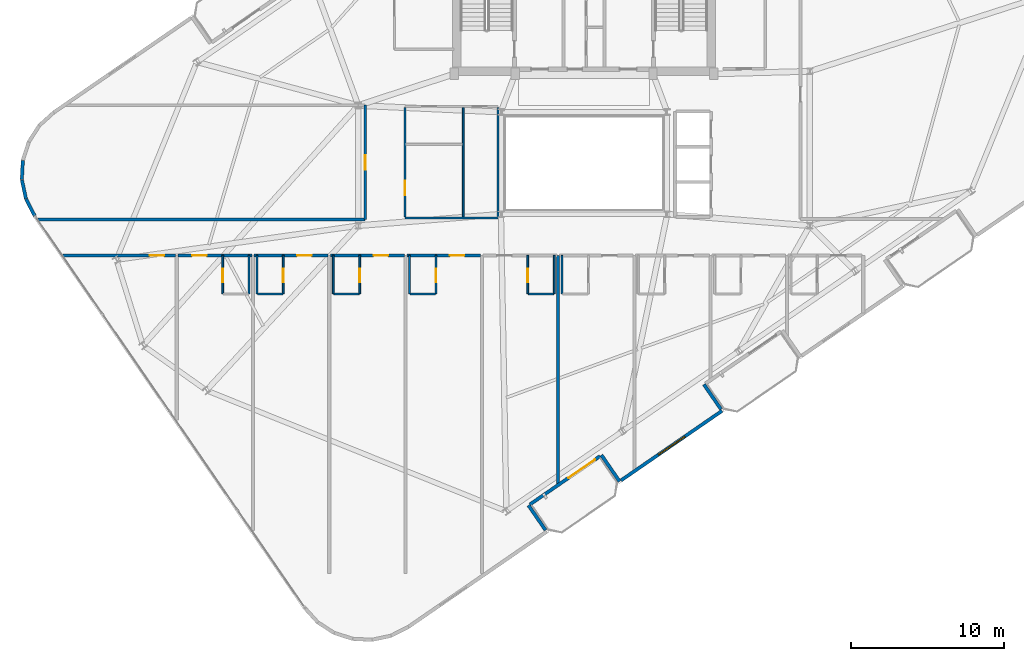
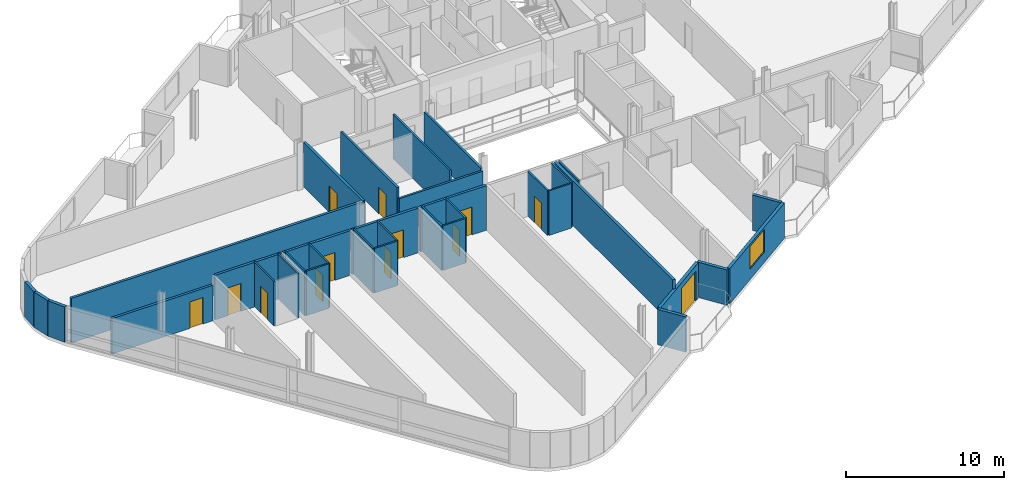
# One storey, part 14 of 22: 35 walls, 13 doors, 1 window, 14 openings.
"""IFC4 building model written with IfcOpenShell, lengths in metres."""

from ifc_helpers import new_model, si_unit, direction, frame, frame_2d, origin, place, context, subcontext, project, spatial, rectangle, extrude, material, layer, layer_set, type_object, element, fill, save


model = new_model("IFC4")

# Units and contexts
model_context = context("Model", 3, precision=1e-05, world=origin(), true_north=direction((0.0, 1.0)))
body_context = subcontext(model_context, "Body", "Model", "MODEL_VIEW")
ifc_project = project(units=[si_unit("LENGTHUNIT", "METRE"), si_unit("AREAUNIT", "SQUARE_METRE"), si_unit("VOLUMEUNIT", "CUBIC_METRE"), si_unit("PLANEANGLEUNIT", "RADIAN"), si_unit("MASSUNIT", "GRAM", prefix="KILO")], contexts=[model_context])

# Site, building, storey
site_placement = place(None, origin())
site = spatial("IfcSite", under=ifc_project, at=site_placement, CompositionType="ELEMENT")
building_placement = place(site_placement, origin())
building = spatial("IfcBuilding", under=site, at=building_placement, Name="Varnelok Gate Tower", CompositionType="ELEMENT")
storey_placement = place(building_placement, frame((0.0, 0.0, 280.39990234375)))
storey = spatial("IfcBuildingStorey", under=building, at=storey_placement, Name="L72", CompositionType="ELEMENT", Elevation=280.39990234375)

# Wall, opening, door
ifc_material_1 = material(Name="Concrete C45/55", Category="concrete")
ifc_layer_1 = layer(ifc_material_1, 0.219970703125)
ifc_layer_set_1 = layer_set([ifc_layer_1], Name="Concrete C45/55")
wall_type_1 = type_object("IfcWallType", Name="EW-BALC-220", PredefinedType="SOLIDWALL", material=ifc_layer_set_1)
wall_1_placement = place(storey_placement, frame((40.243896484375, 3.6884765625, 0.0), z_axis=(0.0, 0.0, 1.0), x_axis=(-0.823541290762, -0.567256328665, 0.0)))
wall_1 = element("IfcWall", 1, at=wall_1_placement, inside=storey, type_object=wall_type_1, Name="L72 South Terrace Envelope Wall 1", PredefinedType="SOLIDWALL", context=body_context, shape_type="SweptSolid", body=[
    extrude(rectangle(XDim=5.567138671875, YDim=0.219970703125, at=frame_2d((2.78369140625, 0.0))), origin(), (0.0, 0.0, 1.0), 2.72998046875),
])
opening_1_placement = place(wall_1_placement, frame((0.39990234375, 0.0, 0.0)))
opening_1 = element("IfcOpeningElement", 2, at=opening_1_placement, cuts=wall_1, Name="Opening BD-2", PredefinedType="OPENING", context=body_context, shape_type="SweptSolid", body=[
    extrude(rectangle(XDim=2.10009765625, YDim=2.300048828125, at=frame_2d((1.050048828125, 1.14990234375))), frame((0.0, 0.119873046875, 0.0), z_axis=(0.0, -1.0, 0.0), x_axis=(1.0, 0.0, 0.0)), (0.0, 0.0, 1.0), 0.239990234375),
])
ifc_material_2 = material(Name="Anodized Aluminum Alloy 6063-T6", Category="aluminium")
door_type_1 = type_object("IfcDoorType", Name="DR-EXT-SLID2100", OperationType="SLIDING_TO_LEFT", PredefinedType="DOOR", material=ifc_material_2)
door_1_placement = place(opening_1_placement, origin())
door_1 = element("IfcDoor", 3, at=door_1_placement, inside=storey, type_object=door_type_1, Name="L72 South Balcony Glazed Door 1", OperationType="SLIDING_TO_LEFT", OverallHeight=2.300048828125, OverallWidth=2.10009765625, PredefinedType="DOOR", context=body_context, shape_type="SweptSolid", body=[
    extrude(rectangle(XDim=2.10009765625, YDim=2.300048828125, at=frame_2d((1.050048828125, 1.14990234375))), frame((0.0, 0.02490234375, 0.0), z_axis=(0.0, -1.0, 0.0), x_axis=(1.0, 0.0, 0.0)), (0.0, 0.0, 1.0), 0.050048828125),
])
fill(opening_1, door_1)

# Walls
wall_2_placement = place(storey_placement, frame((36.675048828125, -1.156005859375, 0.0), z_axis=(0.0, 0.0, 1.0), x_axis=(-0.567215821234, 0.823569190865, 0.0)))
element("IfcWall", 4, at=wall_2_placement, inside=storey, type_object=wall_type_1, Name="L72 Perimeter Facade Closure Wall 8", PredefinedType="SOLIDWALL", context=body_context, shape_type="SweptSolid", body=[
    extrude(rectangle(XDim=1.97509765625, YDim=0.219970703125, at=frame_2d((0.987548828125, 0.0))), origin(), (0.0, 0.0, 1.0), 2.72998046875),
])
wall_3_placement = place(storey_placement, frame((40.3369140625, 3.7646484375, 0.0), z_axis=(0.0, 0.0, 1.0), x_axis=(0.567352541689, -0.823475010816, 0.0)))
element("IfcWall", 5, at=wall_3_placement, inside=storey, type_object=wall_type_1, Name="L72 Perimeter Facade Closure Wall 9", PredefinedType="SOLIDWALL", context=body_context, shape_type="SweptSolid", body=[
    extrude(rectangle(XDim=2.099853515625, YDim=0.219970703125, at=frame_2d((1.0498046875, 0.0))), origin(), (0.0, 0.0, 1.0), 2.72998046875),
])

# Wall, opening, window
wall_4_placement = place(storey_placement, frame((41.631103515625, 2.106201171875, 0.0), z_axis=(0.0, 0.0, 1.0), x_axis=(0.823530942962, 0.56727135128, 0.0)))
wall_4 = element("IfcWall", 6, at=wall_4_placement, inside=storey, type_object=wall_type_1, Name="L72 Perimeter Facade Closure Wall 10", PredefinedType="SOLIDWALL", context=body_context, shape_type="SweptSolid", body=[
    extrude(rectangle(XDim=8.03515625, YDim=0.219970703125, at=frame_2d((4.017578125, 0.0))), origin(), (0.0, 0.0, 1.0), 2.72998046875),
])
opening_2_placement = place(wall_4_placement, frame((2.967529296875, 0.0, 0.800048828125)))
opening_2 = element("IfcOpeningElement", 7, at=opening_2_placement, cuts=wall_4, Name="Opening WN4", PredefinedType="OPENING", context=body_context, shape_type="SweptSolid", body=[
    extrude(rectangle(XDim=2.10009765625, YDim=1.75, at=frame_2d((1.050048828125, 0.875))), frame((0.0, 0.119873046875, 0.0), z_axis=(0.0, -1.0, 0.0), x_axis=(1.0, 0.0, 0.0)), (0.0, 0.0, 1.0), 0.239990234375),
])
ifc_material_3 = material(Name="Low-E Laminated Double Glazing IGU", Category="glass")
window_type = type_object("IfcWindowType", Name="WN-SUI-2100", PartitioningType="SINGLE_PANEL", PredefinedType="WINDOW", material=ifc_material_3)
window_placement = place(opening_2_placement, origin())
window = element("IfcWindow", 8, at=window_placement, inside=storey, type_object=window_type, Name="L72 Perimeter Vision Window 10", OverallHeight=1.75, OverallWidth=2.10009765625, PartitioningType="SINGLE_PANEL", PredefinedType="WINDOW", context=body_context, shape_type="SweptSolid", body=[
    extrude(rectangle(XDim=2.10009765625, YDim=1.75, at=frame_2d((1.050048828125, 0.875))), frame((0.0, 0.030029296875, 0.0), z_axis=(0.0, -1.0, 0.0), x_axis=(1.0, 0.0, 0.0)), (0.0, 0.0, 1.0), 0.06005859375),
])
fill(opening_2, window)

# Walls
wall_5_placement = place(storey_placement, frame((48.17724609375, 6.76708984375, 0.0), z_axis=(0.0, 0.0, 1.0), x_axis=(-0.567273565974, 0.823529417415, 0.0)))
element("IfcWall", 9, at=wall_5_placement, inside=storey, type_object=wall_type_1, Name="L72 Perimeter Facade Closure Wall 11", PredefinedType="SOLIDWALL", context=body_context, shape_type="SweptSolid", body=[
    extrude(rectangle(XDim=1.97509765625, YDim=0.219970703125, at=frame_2d((0.987548828125, 0.0))), origin(), (0.0, 0.0, 1.0), 2.72998046875),
])
wall_6_placement = place(storey_placement, frame((2.409912109375, 23.06591796875, 0.0), z_axis=(0.0, 0.0, 1.0), x_axis=(-0.051234756022, -0.998686637427, 0.0)))
element("IfcWall", 10, at=wall_6_placement, inside=storey, type_object=wall_type_1, Name="L72 Perimeter Facade Closure Wall 42", PredefinedType="SOLIDWALL", context=body_context, shape_type="SweptSolid", body=[
    extrude(rectangle(XDim=1.24853515625, YDim=0.219970703125, at=frame_2d((0.624267578125, 0.0))), origin(), (0.0, 0.0, 1.0), 2.72998046875),
])
for number, where, z_axis, x_axis, name in (
    (11, (2.35107421875, 21.794677734375, 0.0), (0.0, 0.0, 1.0), (0.208994994656, -0.977916710262, 0.0), "L72 Perimeter Facade Closure Wall 43"),
    (12, (2.623291015625, 20.55126953125, 0.0), (0.0, 0.0, 1.0), (0.454938817534, -0.890522696118, 0.0), "L72 Perimeter Facade Closure Wall 44"),
):
    element("IfcWall", number, at=place(storey_placement, frame(where, z_axis=z_axis, x_axis=x_axis)), inside=storey, type_object=wall_type_1, Name=name, PredefinedType="SOLIDWALL", context=body_context, shape_type="SweptSolid", body=[
        extrude(rectangle(XDim=1.248779296875, YDim=0.219970703125, at=frame_2d((0.62451171875, 0.0))), origin(), (0.0, 0.0, 1.0), 2.72998046875),
    ])

# Wall, opening, door
ifc_material_4 = material(Name="Gypsum Plasterboard Acoustic Partition", Category="gypsum")
ifc_layer_2 = layer(ifc_material_4, 0.179931640625)
ifc_layer_set_2 = layer_set([ifc_layer_2], Name="Gypsum Plasterboard Acoustic Partition")
wall_type_2 = type_object("IfcWallType", Name="PW-CORR-180", PredefinedType="PARTITIONING", material=ifc_layer_set_2)
wall_7_placement = place(storey_placement, frame((5.037841796875, 16.85009765625, 0.0), z_axis=(0.0, 0.0, 1.0), x_axis=(1.0, 0.0, 0.0)))
wall_7 = element("IfcWall", 13, at=wall_7_placement, inside=storey, type_object=wall_type_2, Name="Interior Partition", PredefinedType="PARTITIONING", context=body_context, shape_type="SweptSolid", body=[
    extrude(rectangle(XDim=7.382080078125, YDim=0.179931640625, at=frame_2d((3.69091796875, 0.0))), origin(), (0.0, 0.0, 1.0), 2.739013671875),
])
opening_3_placement = place(wall_7_placement, frame((5.68701171875, 0.0, 0.0)))
opening_3 = element("IfcOpeningElement", 14, at=opening_3_placement, cuts=wall_7, Name="Opening D-I2", PredefinedType="OPENING", context=body_context, shape_type="SweptSolid", body=[
    extrude(rectangle(XDim=0.949951171875, YDim=2.050048828125, at=frame_2d((0.47509765625, 1.02490234375))), frame((0.0, 0.099853515625, 0.0), z_axis=(0.0, -1.0, 0.0), x_axis=(1.0, 0.0, 0.0)), (0.0, 0.0, 1.0), 0.199951171875),
])
ifc_material_5 = material(Name="Engineered Hardwood Timber", Category="wood")
door_type_2 = type_object("IfcDoorType", Name="DR-INT-950", OperationType="NOTDEFINED", PredefinedType="DOOR", material=ifc_material_5)
door_2_placement = place(opening_3_placement, origin())
door_2 = element("IfcDoor", 15, at=door_2_placement, inside=storey, type_object=door_type_2, Name="L72 Wellness Spa Lounge Door", OperationType="SINGLE_SWING_LEFT", OverallHeight=2.050048828125, OverallWidth=0.949951171875, PredefinedType="DOOR", context=body_context, shape_type="SweptSolid", body=[
    extrude(rectangle(XDim=0.949951171875, YDim=2.050048828125, at=frame_2d((0.47509765625, 1.02490234375))), frame((0.0, 0.02490234375, 0.0), z_axis=(0.0, -1.0, 0.0), x_axis=(1.0, 0.0, 0.0)), (0.0, 0.0, 1.0), 0.050048828125),
])
fill(opening_3, door_2)

wall_8_placement = place(storey_placement, frame((12.580078125, 16.85009765625, 0.0), z_axis=(0.0, 0.0, 1.0), x_axis=(1.0, 0.0, 0.0)))
wall_8 = element("IfcWall", 16, at=wall_8_placement, inside=storey, type_object=wall_type_2, Name="Interior Partition", PredefinedType="PARTITIONING", context=body_context, shape_type="SweptSolid", body=[
    extrude(rectangle(XDim=4.83984375, YDim=0.179931640625, at=frame_2d((2.419921875, 0.0))), origin(), (0.0, 0.0, 1.0), 3.4501953125),
])
opening_4_placement = place(wall_8_placement, frame((0.92919921875, 0.0, 0.0)))
opening_4 = element("IfcOpeningElement", 17, at=opening_4_placement, cuts=wall_8, Name="Opening D-HT", PredefinedType="OPENING", context=body_context, shape_type="SweptSolid", body=[
    extrude(rectangle(XDim=0.949951171875, YDim=2.14990234375, at=frame_2d((0.47509765625, 1.074951171875))), frame((0.0, 0.099853515625, 0.0), z_axis=(0.0, -1.0, 0.0), x_axis=(1.0, 0.0, 0.0)), (0.0, 0.0, 1.0), 0.199951171875),
])
door_type_3 = type_object("IfcDoorType", Name="DR-HTL-950", OperationType="NOTDEFINED", PredefinedType="DOOR", material=ifc_material_5)
door_3_placement = place(opening_4_placement, origin())
door_3 = element("IfcDoor", 18, at=door_3_placement, inside=storey, type_object=door_type_3, Name="L72 Guest Room 02 Entrance Door", OperationType="SINGLE_SWING_LEFT", OverallHeight=2.14990234375, OverallWidth=0.949951171875, PredefinedType="DOOR", context=body_context, shape_type="SweptSolid", body=[
    extrude(rectangle(XDim=0.949951171875, YDim=2.14990234375, at=frame_2d((0.47509765625, 1.074951171875))), frame((0.0, 0.02490234375, 0.0), z_axis=(0.0, -1.0, 0.0), x_axis=(1.0, 0.0, 0.0)), (0.0, 0.0, 1.0), 0.050048828125),
])
fill(opening_4, door_3)

wall_9_placement = place(storey_placement, frame((17.580078125, 16.85009765625, 0.0), z_axis=(0.0, 0.0, 1.0), x_axis=(1.0, 0.0, 0.0)))
wall_9 = element("IfcWall", 19, at=wall_9_placement, inside=storey, type_object=wall_type_2, Name="Interior Partition", PredefinedType="PARTITIONING", context=body_context, shape_type="SweptSolid", body=[
    extrude(rectangle(XDim=4.83984375, YDim=0.179931640625, at=frame_2d((2.419921875, 0.0))), origin(), (0.0, 0.0, 1.0), 3.4501953125),
])
opening_5_placement = place(wall_9_placement, frame((2.819091796875, 0.0, 0.0)))
opening_5 = element("IfcOpeningElement", 20, at=opening_5_placement, cuts=wall_9, Name="Opening D-HT", PredefinedType="OPENING", context=body_context, shape_type="SweptSolid", body=[
    extrude(rectangle(XDim=0.949951171875, YDim=2.14990234375, at=frame_2d((0.47509765625, 1.074951171875))), frame((0.0, 0.099853515625, 0.0), z_axis=(0.0, -1.0, 0.0), x_axis=(1.0, 0.0, 0.0)), (0.0, 0.0, 1.0), 0.199951171875),
])
door_4_placement = place(opening_5_placement, origin())
door_4 = element("IfcDoor", 21, at=door_4_placement, inside=storey, type_object=door_type_3, Name="L72 Guest Room 03 Entrance Door", OperationType="SINGLE_SWING_RIGHT", OverallHeight=2.14990234375, OverallWidth=0.949951171875, PredefinedType="DOOR", context=body_context, shape_type="SweptSolid", body=[
    extrude(rectangle(XDim=0.949951171875, YDim=2.14990234375, at=frame_2d((0.47509765625, 1.074951171875))), frame((0.0, 0.02490234375, 0.0), z_axis=(0.0, -1.0, 0.0), x_axis=(1.0, 0.0, 0.0)), (0.0, 0.0, 1.0), 0.050048828125),
])
fill(opening_5, door_4)

wall_10_placement = place(storey_placement, frame((22.580078125, 16.85009765625, 0.0), z_axis=(0.0, 0.0, 1.0), x_axis=(1.0, 0.0, 0.0)))
wall_10 = element("IfcWall", 22, at=wall_10_placement, inside=storey, type_object=wall_type_2, Name="Interior Partition", PredefinedType="PARTITIONING", context=body_context, shape_type="SweptSolid", body=[
    extrude(rectangle(XDim=4.83984375, YDim=0.179931640625, at=frame_2d((2.419921875, 0.0))), origin(), (0.0, 0.0, 1.0), 3.4501953125),
])
opening_6_placement = place(wall_10_placement, frame((2.819091796875, 0.0, 0.0)))
opening_6 = element("IfcOpeningElement", 23, at=opening_6_placement, cuts=wall_10, Name="Opening D-HT", PredefinedType="OPENING", context=body_context, shape_type="SweptSolid", body=[
    extrude(rectangle(XDim=0.949951171875, YDim=2.14990234375, at=frame_2d((0.47509765625, 1.074951171875))), frame((0.0, 0.099853515625, 0.0), z_axis=(0.0, -1.0, 0.0), x_axis=(1.0, 0.0, 0.0)), (0.0, 0.0, 1.0), 0.199951171875),
])
door_5_placement = place(opening_6_placement, origin())
door_5 = element("IfcDoor", 24, at=door_5_placement, inside=storey, type_object=door_type_3, Name="L72 Guest Room 04 Entrance Door", OperationType="SINGLE_SWING_LEFT", OverallHeight=2.14990234375, OverallWidth=0.949951171875, PredefinedType="DOOR", context=body_context, shape_type="SweptSolid", body=[
    extrude(rectangle(XDim=0.949951171875, YDim=2.14990234375, at=frame_2d((0.47509765625, 1.074951171875))), frame((0.0, 0.02490234375, 0.0), z_axis=(0.0, -1.0, 0.0), x_axis=(1.0, 0.0, 0.0)), (0.0, 0.0, 1.0), 0.050048828125),
])
fill(opening_6, door_5)

wall_11_placement = place(storey_placement, frame((27.580078125, 16.85009765625, 0.0), z_axis=(0.0, 0.0, 1.0), x_axis=(1.0, 0.0, 0.0)))
wall_11 = element("IfcWall", 25, at=wall_11_placement, inside=storey, type_object=wall_type_2, Name="Interior Partition", PredefinedType="PARTITIONING", context=body_context, shape_type="SweptSolid", body=[
    extrude(rectangle(XDim=4.83984375, YDim=0.179931640625, at=frame_2d((2.419921875, 0.0))), origin(), (0.0, 0.0, 1.0), 3.4501953125),
])
opening_7_placement = place(wall_11_placement, frame((2.819091796875, 0.0, 0.0)))
opening_7 = element("IfcOpeningElement", 26, at=opening_7_placement, cuts=wall_11, Name="Opening D-HT", PredefinedType="OPENING", context=body_context, shape_type="SweptSolid", body=[
    extrude(rectangle(XDim=0.949951171875, YDim=2.14990234375, at=frame_2d((0.47509765625, 1.074951171875))), frame((0.0, 0.099853515625, 0.0), z_axis=(0.0, -1.0, 0.0), x_axis=(1.0, 0.0, 0.0)), (0.0, 0.0, 1.0), 0.199951171875),
])
door_6_placement = place(opening_7_placement, origin())
door_6 = element("IfcDoor", 27, at=door_6_placement, inside=storey, type_object=door_type_3, Name="L72 Guest Room 05 Entrance Door", OperationType="SINGLE_SWING_RIGHT", OverallHeight=2.14990234375, OverallWidth=0.949951171875, PredefinedType="DOOR", context=body_context, shape_type="SweptSolid", body=[
    extrude(rectangle(XDim=0.949951171875, YDim=2.14990234375, at=frame_2d((0.47509765625, 1.074951171875))), frame((0.0, 0.02490234375, 0.0), z_axis=(0.0, -1.0, 0.0), x_axis=(1.0, 0.0, 0.0)), (0.0, 0.0, 1.0), 0.050048828125),
])
fill(opening_7, door_6)

wall_12_placement = place(storey_placement, frame((24.85009765625, 19.199951171875, 0.0), z_axis=(0.0, 0.0, 1.0), x_axis=(0.0, 1.0, 0.0)))
wall_12 = element("IfcWall", 28, at=wall_12_placement, inside=storey, type_object=wall_type_2, Name="Interior Partition", PredefinedType="PARTITIONING", context=body_context, shape_type="SweptSolid", body=[
    extrude(rectangle(XDim=7.5, YDim=0.179931640625, at=frame_2d((3.75, 0.0))), origin(), (0.0, 0.0, 1.0), 3.4501953125),
])
opening_8_placement = place(wall_12_placement, frame((3.27490234375, 0.0, 0.0)))
opening_8 = element("IfcOpeningElement", 29, at=opening_8_placement, cuts=wall_12, Name="Opening D-I2", PredefinedType="OPENING", context=body_context, shape_type="SweptSolid", body=[
    extrude(rectangle(XDim=0.949951171875, YDim=2.050048828125, at=frame_2d((0.47509765625, 1.02490234375))), frame((0.0, 0.099853515625, 0.0), z_axis=(0.0, -1.0, 0.0), x_axis=(1.0, 0.0, 0.0)), (0.0, 0.0, 1.0), 0.199951171875),
])
door_7_placement = place(opening_8_placement, origin())
door_7 = element("IfcDoor", 30, at=door_7_placement, inside=storey, type_object=door_type_2, Name="L72 West Flank Room Door", OperationType="SINGLE_SWING_LEFT", OverallHeight=2.050048828125, OverallWidth=0.949951171875, PredefinedType="DOOR", context=body_context, shape_type="SweptSolid", body=[
    extrude(rectangle(XDim=0.949951171875, YDim=2.050048828125, at=frame_2d((0.47509765625, 1.02490234375))), frame((0.0, 0.02490234375, 0.0), z_axis=(0.0, -1.0, 0.0), x_axis=(1.0, 0.0, 0.0)), (0.0, 0.0, 1.0), 0.050048828125),
])
fill(opening_8, door_7)

# Wall
wall_13_placement = place(storey_placement, frame((3.419189453125, 19.199951171875, 0.0), z_axis=(0.0, 0.0, 1.0), x_axis=(1.0, 0.0, 0.0)))
element("IfcWall", 31, at=wall_13_placement, inside=storey, type_object=wall_type_2, Name="Interior Partition", PredefinedType="PARTITIONING", context=body_context, shape_type="SweptSolid", body=[
    extrude(rectangle(XDim=21.430908203125, YDim=0.179931640625, at=frame_2d((10.71533203125, 0.0))), origin(), (0.0, 0.0, 1.0), 3.4501953125),
])

# Wall, opening, door
ifc_layer_3 = layer(ifc_material_4, 0.114990234375)
ifc_layer_set_3 = layer_set([ifc_layer_3], Name="Gypsum Plasterboard Acoustic Partition")
wall_type_3 = type_object("IfcWallType", Name="PW-ENS-125", PredefinedType="PARTITIONING", material=ifc_layer_set_3)
wall_14_placement = place(storey_placement, frame((15.510009765625, 14.330078125, 0.0), z_axis=(0.0, 0.0, 1.0), x_axis=(0.0, 1.0, 0.0)))
wall_14 = element("IfcWall", 32, at=wall_14_placement, inside=storey, type_object=wall_type_3, Name="Interior Partition", PredefinedType="PARTITIONING", context=body_context, shape_type="SweptSolid", body=[
    extrude(rectangle(XDim=2.52001953125, YDim=0.114990234375, at=frame_2d((1.260009765625, 0.0))), origin(), (0.0, 0.0, 1.0), 3.4501953125),
])
opening_9_placement = place(wall_14_placement, frame((0.760009765625, 0.0, 0.0)))
opening_9 = element("IfcOpeningElement", 33, at=opening_9_placement, cuts=wall_14, Name="Opening D-WC", PredefinedType="OPENING", context=body_context, shape_type="SweptSolid", body=[
    extrude(rectangle(XDim=0.89990234375, YDim=2.050048828125, at=frame_2d((0.449951171875, 1.02490234375))), frame((0.0, 0.0673828125, 0.0), z_axis=(0.0, -1.0, 0.0), x_axis=(1.0, 0.0, 0.0)), (0.0, 0.0, 1.0), 0.135009765625),
])
door_type_4 = type_object("IfcDoorType", Name="DR-BATH-900", OperationType="NOTDEFINED", PredefinedType="DOOR", material=ifc_material_5)
door_8_placement = place(opening_9_placement, origin())
door_8 = element("IfcDoor", 34, at=door_8_placement, inside=storey, type_object=door_type_4, Name="L72 Guest En-Suite 02 Door", OperationType="SINGLE_SWING_RIGHT", OverallHeight=2.050048828125, OverallWidth=0.89990234375, PredefinedType="DOOR", context=body_context, shape_type="SweptSolid", body=[
    extrude(rectangle(XDim=0.89990234375, YDim=2.050048828125, at=frame_2d((0.449951171875, 1.02490234375))), frame((0.0, 0.02490234375, 0.0), z_axis=(0.0, -1.0, 0.0), x_axis=(1.0, 0.0, 0.0)), (0.0, 0.0, 1.0), 0.050048828125),
])
fill(opening_9, door_8)

# Walls
wall_15_placement = place(storey_placement, frame((17.239990234375, 14.330078125, 0.0), z_axis=(0.0, 0.0, 1.0), x_axis=(0.0, 1.0, 0.0)))
element("IfcWall", 35, at=wall_15_placement, inside=storey, type_object=wall_type_3, Name="Interior Partition", PredefinedType="PARTITIONING", context=body_context, shape_type="SweptSolid", body=[
    extrude(rectangle(XDim=2.52001953125, YDim=0.114990234375, at=frame_2d((1.260009765625, 0.0))), origin(), (0.0, 0.0, 1.0), 3.4501953125),
])
wall_16_placement = place(storey_placement, frame((17.800048828125, 14.330078125, 0.0), z_axis=(0.0, 0.0, 1.0), x_axis=(1.0, 0.0, 0.0)))
element("IfcWall", 36, at=wall_16_placement, inside=storey, type_object=wall_type_3, Name="Interior Partition", PredefinedType="PARTITIONING", context=body_context, shape_type="SweptSolid", body=[
    extrude(rectangle(XDim=1.64990234375, YDim=0.114990234375, at=frame_2d((0.824951171875, 0.0))), origin(), (0.0, 0.0, 1.0), 3.4501953125),
])

# Wall, opening, door
wall_17_placement = place(storey_placement, frame((19.489990234375, 14.330078125, 0.0), z_axis=(0.0, 0.0, 1.0), x_axis=(0.0, 1.0, 0.0)))
wall_17 = element("IfcWall", 37, at=wall_17_placement, inside=storey, type_object=wall_type_3, Name="Interior Partition", PredefinedType="PARTITIONING", context=body_context, shape_type="SweptSolid", body=[
    extrude(rectangle(XDim=2.52001953125, YDim=0.114990234375, at=frame_2d((1.260009765625, 0.0))), origin(), (0.0, 0.0, 1.0), 3.4501953125),
])
opening_10_placement = place(wall_17_placement, frame((0.760009765625, 0.0, 0.0)))
opening_10 = element("IfcOpeningElement", 38, at=opening_10_placement, cuts=wall_17, Name="Opening D-WC", PredefinedType="OPENING", context=body_context, shape_type="SweptSolid", body=[
    extrude(rectangle(XDim=0.89990234375, YDim=2.050048828125, at=frame_2d((0.449951171875, 1.02490234375))), frame((0.0, 0.0673828125, 0.0), z_axis=(0.0, -1.0, 0.0), x_axis=(1.0, 0.0, 0.0)), (0.0, 0.0, 1.0), 0.135009765625),
])
door_9_placement = place(opening_10_placement, origin())
door_9 = element("IfcDoor", 39, at=door_9_placement, inside=storey, type_object=door_type_4, Name="L72 Guest En-Suite 03 Door", OperationType="SINGLE_SWING_LEFT", OverallHeight=2.050048828125, OverallWidth=0.89990234375, PredefinedType="DOOR", context=body_context, shape_type="SweptSolid", body=[
    extrude(rectangle(XDim=0.89990234375, YDim=2.050048828125, at=frame_2d((0.449951171875, 1.02490234375))), frame((0.0, 0.02490234375, 0.0), z_axis=(0.0, -1.0, 0.0), x_axis=(1.0, 0.0, 0.0)), (0.0, 0.0, 1.0), 0.050048828125),
])
fill(opening_10, door_9)

# Walls
wall_18_placement = place(storey_placement, frame((17.760009765625, 14.330078125, 0.0), z_axis=(0.0, 0.0, 1.0), x_axis=(0.0, 1.0, 0.0)))
element("IfcWall", 40, at=wall_18_placement, inside=storey, type_object=wall_type_3, Name="Interior Partition", PredefinedType="PARTITIONING", context=body_context, shape_type="SweptSolid", body=[
    extrude(rectangle(XDim=2.52001953125, YDim=0.114990234375, at=frame_2d((1.260009765625, 0.0))), origin(), (0.0, 0.0, 1.0), 3.4501953125),
])
wall_19_placement = place(storey_placement, frame((22.800048828125, 14.330078125, 0.0), z_axis=(0.0, 0.0, 1.0), x_axis=(1.0, 0.0, 0.0)))
element("IfcWall", 41, at=wall_19_placement, inside=storey, type_object=wall_type_3, Name="Interior Partition", PredefinedType="PARTITIONING", context=body_context, shape_type="SweptSolid", body=[
    extrude(rectangle(XDim=1.64990234375, YDim=0.114990234375, at=frame_2d((0.824951171875, 0.0))), origin(), (0.0, 0.0, 1.0), 3.4501953125),
])

# Wall, opening, door
wall_20_placement = place(storey_placement, frame((24.489990234375, 14.330078125, 0.0), z_axis=(0.0, 0.0, 1.0), x_axis=(0.0, 1.0, 0.0)))
wall_20 = element("IfcWall", 42, at=wall_20_placement, inside=storey, type_object=wall_type_3, Name="Interior Partition", PredefinedType="PARTITIONING", context=body_context, shape_type="SweptSolid", body=[
    extrude(rectangle(XDim=2.52001953125, YDim=0.114990234375, at=frame_2d((1.260009765625, 0.0))), origin(), (0.0, 0.0, 1.0), 3.4501953125),
])
opening_11_placement = place(wall_20_placement, frame((0.760009765625, 0.0, 0.0)))
opening_11 = element("IfcOpeningElement", 43, at=opening_11_placement, cuts=wall_20, Name="Opening D-WC", PredefinedType="OPENING", context=body_context, shape_type="SweptSolid", body=[
    extrude(rectangle(XDim=0.89990234375, YDim=2.050048828125, at=frame_2d((0.449951171875, 1.02490234375))), frame((0.0, 0.0673828125, 0.0), z_axis=(0.0, -1.0, 0.0), x_axis=(1.0, 0.0, 0.0)), (0.0, 0.0, 1.0), 0.135009765625),
])
door_10_placement = place(opening_11_placement, origin())
door_10 = element("IfcDoor", 44, at=door_10_placement, inside=storey, type_object=door_type_4, Name="L72 Guest En-Suite 04 Door", OperationType="SINGLE_SWING_LEFT", OverallHeight=2.050048828125, OverallWidth=0.89990234375, PredefinedType="DOOR", context=body_context, shape_type="SweptSolid", body=[
    extrude(rectangle(XDim=0.89990234375, YDim=2.050048828125, at=frame_2d((0.449951171875, 1.02490234375))), frame((0.0, 0.02490234375, 0.0), z_axis=(0.0, -1.0, 0.0), x_axis=(1.0, 0.0, 0.0)), (0.0, 0.0, 1.0), 0.050048828125),
])
fill(opening_11, door_10)

# Walls
wall_21_placement = place(storey_placement, frame((22.760009765625, 14.330078125, 0.0), z_axis=(0.0, 0.0, 1.0), x_axis=(0.0, 1.0, 0.0)))
element("IfcWall", 45, at=wall_21_placement, inside=storey, type_object=wall_type_3, Name="Interior Partition", PredefinedType="PARTITIONING", context=body_context, shape_type="SweptSolid", body=[
    extrude(rectangle(XDim=2.52001953125, YDim=0.114990234375, at=frame_2d((1.260009765625, 0.0))), origin(), (0.0, 0.0, 1.0), 3.4501953125),
])
wall_22_placement = place(storey_placement, frame((27.800048828125, 14.330078125, 0.0), z_axis=(0.0, 0.0, 1.0), x_axis=(1.0, 0.0, 0.0)))
element("IfcWall", 46, at=wall_22_placement, inside=storey, type_object=wall_type_3, Name="Interior Partition", PredefinedType="PARTITIONING", context=body_context, shape_type="SweptSolid", body=[
    extrude(rectangle(XDim=1.64990234375, YDim=0.114990234375, at=frame_2d((0.824951171875, 0.0))), origin(), (0.0, 0.0, 1.0), 3.4501953125),
])

# Wall, opening, door
wall_23_placement = place(storey_placement, frame((29.489990234375, 14.330078125, 0.0), z_axis=(0.0, 0.0, 1.0), x_axis=(0.0, 1.0, 0.0)))
wall_23 = element("IfcWall", 47, at=wall_23_placement, inside=storey, type_object=wall_type_3, Name="Interior Partition", PredefinedType="PARTITIONING", context=body_context, shape_type="SweptSolid", body=[
    extrude(rectangle(XDim=2.52001953125, YDim=0.114990234375, at=frame_2d((1.260009765625, 0.0))), origin(), (0.0, 0.0, 1.0), 3.4501953125),
])
opening_12_placement = place(wall_23_placement, frame((0.760009765625, 0.0, 0.0)))
opening_12 = element("IfcOpeningElement", 48, at=opening_12_placement, cuts=wall_23, Name="Opening D-WC", PredefinedType="OPENING", context=body_context, shape_type="SweptSolid", body=[
    extrude(rectangle(XDim=0.89990234375, YDim=2.050048828125, at=frame_2d((0.449951171875, 1.02490234375))), frame((0.0, 0.0673828125, 0.0), z_axis=(0.0, -1.0, 0.0), x_axis=(1.0, 0.0, 0.0)), (0.0, 0.0, 1.0), 0.135009765625),
])
door_11_placement = place(opening_12_placement, origin())
door_11 = element("IfcDoor", 49, at=door_11_placement, inside=storey, type_object=door_type_4, Name="L72 Guest En-Suite 05 Door", OperationType="SINGLE_SWING_LEFT", OverallHeight=2.050048828125, OverallWidth=0.89990234375, PredefinedType="DOOR", context=body_context, shape_type="SweptSolid", body=[
    extrude(rectangle(XDim=0.89990234375, YDim=2.050048828125, at=frame_2d((0.449951171875, 1.02490234375))), frame((0.0, 0.02490234375, 0.0), z_axis=(0.0, -1.0, 0.0), x_axis=(1.0, 0.0, 0.0)), (0.0, 0.0, 1.0), 0.050048828125),
])
fill(opening_12, door_11)

# Walls
wall_24_placement = place(storey_placement, frame((27.760009765625, 14.330078125, 0.0), z_axis=(0.0, 0.0, 1.0), x_axis=(0.0, 1.0, 0.0)))
element("IfcWall", 50, at=wall_24_placement, inside=storey, type_object=wall_type_3, Name="Interior Partition", PredefinedType="PARTITIONING", context=body_context, shape_type="SweptSolid", body=[
    extrude(rectangle(XDim=2.52001953125, YDim=0.114990234375, at=frame_2d((1.260009765625, 0.0))), origin(), (0.0, 0.0, 1.0), 3.4501953125),
])
wall_25_placement = place(storey_placement, frame((35.550048828125, 14.330078125, 0.0), z_axis=(0.0, 0.0, 1.0), x_axis=(1.0, 0.0, 0.0)))
element("IfcWall", 51, at=wall_25_placement, inside=storey, type_object=wall_type_3, Name="Interior Partition", PredefinedType="PARTITIONING", context=body_context, shape_type="SweptSolid", body=[
    extrude(rectangle(XDim=1.64990234375, YDim=0.114990234375, at=frame_2d((0.824951171875, 0.0))), origin(), (0.0, 0.0, 1.0), 3.4501953125),
])

# Wall, opening, door
wall_26_placement = place(storey_placement, frame((35.510009765625, 14.330078125, 0.0), z_axis=(0.0, 0.0, 1.0), x_axis=(0.0, 1.0, 0.0)))
wall_26 = element("IfcWall", 52, at=wall_26_placement, inside=storey, type_object=wall_type_3, Name="Interior Partition", PredefinedType="PARTITIONING", context=body_context, shape_type="SweptSolid", body=[
    extrude(rectangle(XDim=2.52001953125, YDim=0.114990234375, at=frame_2d((1.260009765625, 0.0))), origin(), (0.0, 0.0, 1.0), 3.4501953125),
])
opening_13_placement = place(wall_26_placement, frame((0.760009765625, 0.0, 0.0)))
opening_13 = element("IfcOpeningElement", 53, at=opening_13_placement, cuts=wall_26, Name="Opening D-WC", PredefinedType="OPENING", context=body_context, shape_type="SweptSolid", body=[
    extrude(rectangle(XDim=0.89990234375, YDim=2.050048828125, at=frame_2d((0.449951171875, 1.02490234375))), frame((0.0, 0.0673828125, 0.0), z_axis=(0.0, -1.0, 0.0), x_axis=(1.0, 0.0, 0.0)), (0.0, 0.0, 1.0), 0.135009765625),
])
door_12_placement = place(opening_13_placement, origin())
door_12 = element("IfcDoor", 54, at=door_12_placement, inside=storey, type_object=door_type_4, Name="L72 Guest En-Suite 06 Door", OperationType="SINGLE_SWING_RIGHT", OverallHeight=2.050048828125, OverallWidth=0.89990234375, PredefinedType="DOOR", context=body_context, shape_type="SweptSolid", body=[
    extrude(rectangle(XDim=0.89990234375, YDim=2.050048828125, at=frame_2d((0.449951171875, 1.02490234375))), frame((0.0, 0.02490234375, 0.0), z_axis=(0.0, -1.0, 0.0), x_axis=(1.0, 0.0, 0.0)), (0.0, 0.0, 1.0), 0.050048828125),
])
fill(opening_13, door_12)

# Walls
for number, where, z_axis, x_axis, name in (
    (55, (37.239990234375, 14.330078125, 0.0), (0.0, 0.0, 1.0), (0.0, 1.0, 0.0), "Interior Partition"),
    (56, (37.760009765625, 14.330078125, 0.0), (0.0, 0.0, 1.0), (0.0, 1.0, 0.0), "Interior Partition"),
):
    element("IfcWall", number, at=place(storey_placement, frame(where, z_axis=z_axis, x_axis=x_axis)), inside=storey, type_object=wall_type_3, Name=name, PredefinedType="PARTITIONING", context=body_context, shape_type="SweptSolid", body=[
        extrude(rectangle(XDim=2.52001953125, YDim=0.114990234375, at=frame_2d((1.260009765625, 0.0))), origin(), (0.0, 0.0, 1.0), 3.4501953125),
    ])
ifc_layer_4 = layer(ifc_material_4, 0.125)
ifc_layer_set_4 = layer_set([ifc_layer_4], Name="Gypsum Plasterboard Acoustic Partition")
wall_type_4 = type_object("IfcWallType", Name="PW-PART-125", PredefinedType="PARTITIONING", material=ifc_layer_set_4)
wall_27_placement = place(storey_placement, frame((31.280029296875, 19.3798828125, 0.0), z_axis=(0.0, 0.0, 1.0), x_axis=(0.0, 1.0, 0.0)))
element("IfcWall", 57, at=wall_27_placement, inside=storey, type_object=wall_type_4, Name="Interior Partition", PredefinedType="PARTITIONING", context=body_context, shape_type="SweptSolid", body=[
    extrude(rectangle(XDim=7.16015625, YDim=0.125, at=frame_2d((3.580078125, 0.0))), origin(), (0.0, 0.0, 1.0), 3.4501953125),
])
ifc_layer_5 = layer(ifc_material_4, 0.14990234375)
ifc_layer_set_5 = layer_set([ifc_layer_5], Name="Gypsum Plasterboard Acoustic Partition")
wall_type_5 = type_object("IfcWallType", Name="PW-PART-150", PredefinedType="PARTITIONING", material=ifc_layer_set_5)
wall_28_placement = place(storey_placement, frame((27.4599609375, 19.300048828125, 0.0), z_axis=(0.0, 0.0, 1.0), x_axis=(1.0, 0.0, 0.0)))
element("IfcWall", 58, at=wall_28_placement, inside=storey, type_object=wall_type_5, Name="Interior Partition", PredefinedType="PARTITIONING", context=body_context, shape_type="SweptSolid", body=[
    extrude(rectangle(XDim=6.10009765625, YDim=0.14990234375, at=frame_2d((3.050048828125, 0.0))), origin(), (0.0, 0.0, 1.0), 2.662109375),
])

# Wall, opening, door
wall_29_placement = place(storey_placement, frame((27.4599609375, 19.3798828125, 0.0), z_axis=(0.0, 0.0, 1.0), x_axis=(0.0, 1.0, 0.0)))
wall_29 = element("IfcWall", 59, at=wall_29_placement, inside=storey, type_object=wall_type_5, Name="Interior Partition", PredefinedType="PARTITIONING", context=body_context, shape_type="SweptSolid", body=[
    extrude(rectangle(XDim=7.16015625, YDim=0.14990234375, at=frame_2d((3.580078125, 0.0))), origin(), (0.0, 0.0, 1.0), 3.4501953125),
])
opening_14_placement = place(wall_29_placement, frame((1.39990234375, 0.0, 0.0)))
opening_14 = element("IfcOpeningElement", 60, at=opening_14_placement, cuts=wall_29, Name="Opening D-I2", PredefinedType="OPENING", context=body_context, shape_type="SweptSolid", body=[
    extrude(rectangle(XDim=0.949951171875, YDim=2.050048828125, at=frame_2d((0.47509765625, 1.02490234375))), frame((0.0, 0.0849609375, 0.0), z_axis=(0.0, -1.0, 0.0), x_axis=(1.0, 0.0, 0.0)), (0.0, 0.0, 1.0), 0.169921875),
])
door_13_placement = place(opening_14_placement, origin())
door_13 = element("IfcDoor", 61, at=door_13_placement, inside=storey, type_object=door_type_2, Name="L72 Hotel Business Center Door", OperationType="SINGLE_SWING_LEFT", OverallHeight=2.050048828125, OverallWidth=0.949951171875, PredefinedType="DOOR", context=body_context, shape_type="SweptSolid", body=[
    extrude(rectangle(XDim=0.949951171875, YDim=2.050048828125, at=frame_2d((0.47509765625, 1.02490234375))), frame((0.0, 0.02490234375, 0.0), z_axis=(0.0, -1.0, 0.0), x_axis=(1.0, 0.0, 0.0)), (0.0, 0.0, 1.0), 0.050048828125),
])
fill(opening_14, door_13)

# Walls
wall_30_placement = place(storey_placement, frame((33.56005859375, 19.3798828125, 0.0), z_axis=(0.0, 0.0, 1.0), x_axis=(0.0, 1.0, 0.0)))
element("IfcWall", 62, at=wall_30_placement, inside=storey, type_object=wall_type_5, Name="Interior Partition", PredefinedType="PARTITIONING", context=body_context, shape_type="SweptSolid", body=[
    extrude(rectangle(XDim=7.16015625, YDim=0.14990234375, at=frame_2d((3.580078125, 0.0))), origin(), (0.0, 0.0, 1.0), 2.82421875),
])
ifc_layer_6 = layer(ifc_material_4, 0.205078125)
ifc_layer_set_6 = layer_set([ifc_layer_6], Name="Gypsum Plasterboard Acoustic Partition")
wall_type_6 = type_object("IfcWallType", Name="PW-PARTY-200", PredefinedType="PARTITIONING", material=ifc_layer_set_6)
wall_31_placement = place(storey_placement, frame((37.5, 1.834716796875, 0.0), z_axis=(0.0, 0.0, 1.0), x_axis=(0.0, 1.0, 0.0)))
element("IfcWall", 63, at=wall_31_placement, inside=storey, type_object=wall_type_6, Name="L72 South Party Wall 6", PredefinedType="PARTITIONING", context=body_context, shape_type="SweptSolid", body=[
    extrude(rectangle(XDim=15.015380859375, YDim=0.205078125, at=frame_2d((7.5078125, 0.0))), origin(), (0.0, 0.0, 1.0), 3.4501953125),
])

save(model, "model.ifc")
